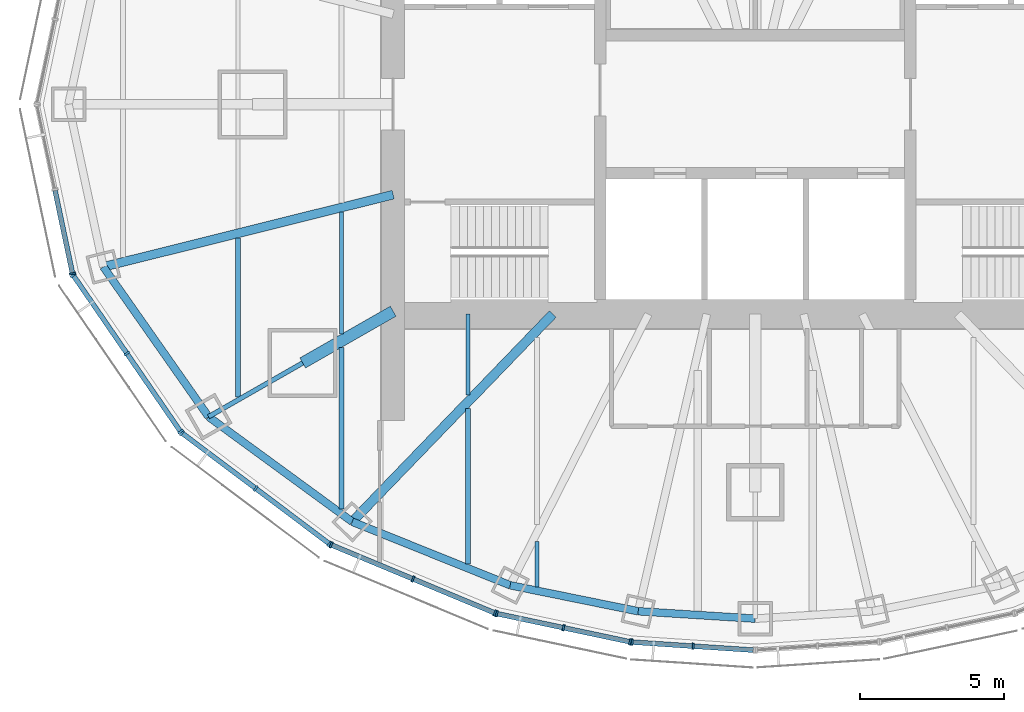
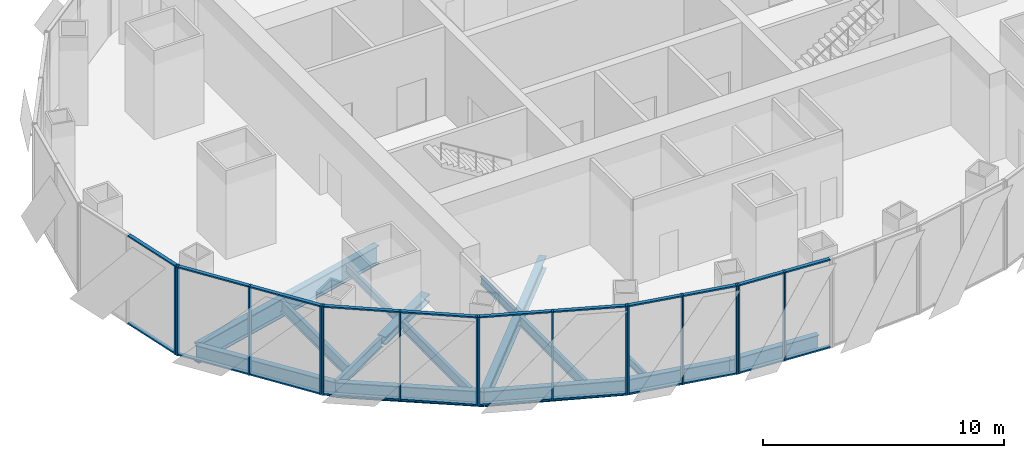
# One storey, part 2 of 15: 37 members, 15 beams, 6 elements without a shape of their own.
"""IFC4 building model written with IfcOpenShell, lengths in metres."""

from ifc_helpers import new_model, si_unit, direction, frame, origin, origin_2d, place, context, subcontext, project, spatial, rectangle, i_section, extrude, material, material_profile, profile_set, type_object, element, aggregate, save


model = new_model("IFC4")

# Units and contexts
model_context = context("Model", 3, precision=1e-05, world=origin(), true_north=direction((0.0, 1.0)))
body_context = subcontext(model_context, "Body", "Model", "MODEL_VIEW")
ifc_project = project(units=[si_unit("LENGTHUNIT", "METRE"), si_unit("AREAUNIT", "SQUARE_METRE"), si_unit("VOLUMEUNIT", "CUBIC_METRE"), si_unit("PLANEANGLEUNIT", "RADIAN"), si_unit("MASSUNIT", "GRAM", prefix="KILO")], contexts=[model_context])

# Site, building, storey
site_placement = place(None, origin())
site = spatial("IfcSite", under=ifc_project, at=site_placement, CompositionType="ELEMENT")
building_placement = place(site_placement, origin())
building = spatial("IfcBuilding", under=site, at=building_placement, Name="Lantaw Convention Tower", CompositionType="ELEMENT")
storey_placement = place(building_placement, frame((0.0, 0.0, 274.89990234375)))
storey = spatial("IfcBuildingStorey", under=building, at=storey_placement, Name="L64", CompositionType="ELEMENT", Elevation=274.89990234375)

# Beams
ifc_material_1 = material(Name="Steel ASTM A992", Category="steel")
ifc_material_profile_1 = material_profile(ifc_material_1, i_section(OverallWidth=0.2666015625, OverallDepth=0.76953125, WebThickness=0.015625, FlangeThickness=0.025390625, FilletRadius=0.0126953125, at=origin_2d()), Name="W30X132")
ifc_profile_set_1 = profile_set([ifc_material_profile_1], Name="Steel ASTM A992")
beam_type_1 = type_object("IfcBeamType", Name="Beam E W30X132", PredefinedType="SPANDREL", material=ifc_profile_set_1)
beam_1_placement = place(storey_placement, frame((-22.68701171875, -5.656494140625, -0.53466796875), z_axis=(0.574400527612, -0.81857439117, 0.0), x_axis=(0.81857439117, 0.574400527612, 0.0)))
element("IfcBeam", 1, at=beam_1_placement, inside=storey, type_object=beam_type_1, Name="Edge beam 14", PredefinedType="SPANDREL", context=body_context, shape_type="SweptSolid", body=[
    extrude(i_section(OverallWidth=0.2666015625, OverallDepth=0.76953125, WebThickness=0.015625, FlangeThickness=0.025390625, FilletRadius=0.0126953125, at=origin_2d()), origin(), (0.0, 0.0, 1.0), 6.3720703125),
])
beam_2_placement = place(storey_placement, frame((-19.02685546875, -10.87255859375, -0.53466796875), z_axis=(0.807371616826, -0.59004328006, 0.0), x_axis=(0.59004328006, 0.807371616826, 0.0)))
element("IfcBeam", 2, at=beam_2_placement, inside=storey, type_object=beam_type_1, Name="Edge beam 15", PredefinedType="SPANDREL", context=body_context, shape_type="SweptSolid", body=[
    extrude(i_section(OverallWidth=0.2666015625, OverallDepth=0.76953125, WebThickness=0.015625, FlangeThickness=0.025390625, FilletRadius=0.0126953125, at=origin_2d()), origin(), (0.0, 0.0, 1.0), 6.192138671875),
])
beam_3_placement = place(storey_placement, frame((-14.027587890625, -14.526123046875, -0.53466796875), z_axis=(0.927779110974, -0.373129898615, 0.0), x_axis=(0.373129898615, 0.927779110974, 0.0)))
element("IfcBeam", 3, at=beam_3_placement, inside=storey, type_object=beam_type_1, Name="Edge beam 16", PredefinedType="SPANDREL", context=body_context, shape_type="SweptSolid", body=[
    extrude(i_section(OverallWidth=0.2666015625, OverallDepth=0.76953125, WebThickness=0.015625, FlangeThickness=0.025390625, FilletRadius=0.0126953125, at=origin_2d()), origin(), (0.0, 0.0, 1.0), 5.92724609375),
])
beam_4_placement = place(storey_placement, frame((-8.5283203125, -16.73779296875, -0.53466796875), z_axis=(0.980006466425, -0.198965639657, 0.0), x_axis=(0.198965639657, 0.980006466425, 0.0)))
element("IfcBeam", 4, at=beam_4_placement, inside=storey, type_object=beam_type_1, Name="Edge beam 17", PredefinedType="SPANDREL", context=body_context, shape_type="SweptSolid", body=[
    extrude(i_section(OverallWidth=0.2666015625, OverallDepth=0.76953125, WebThickness=0.015625, FlangeThickness=0.025390625, FilletRadius=0.0126953125, at=origin_2d()), origin(), (0.0, 0.0, 1.0), 4.546142578125),
])
beam_5_placement = place(storey_placement, frame((-4.072998046875, -17.642333984375, -0.53466796875), z_axis=(0.998006453216, -0.063111958769, 0.0), x_axis=(0.063111958769, 0.998006453216, 0.0)))
element("IfcBeam", 5, at=beam_5_placement, inside=storey, type_object=beam_type_1, Name="Edge beam 18", PredefinedType="SPANDREL", context=body_context, shape_type="SweptSolid", body=[
    extrude(i_section(OverallWidth=0.2666015625, OverallDepth=0.76953125, WebThickness=0.015625, FlangeThickness=0.025390625, FilletRadius=0.0126953125, at=origin_2d()), origin(), (0.0, 0.0, 1.0), 4.0810546875),
])
ifc_material_profile_2 = material_profile(ifc_material_1, i_section(OverallWidth=0.1650390625, OverallDepth=0.52587890625, WebThickness=0.0087890625, FlangeThickness=0.011474609375, FilletRadius=0.0126953125, at=origin_2d()), Name="W21X44")
ifc_profile_set_2 = profile_set([ifc_material_profile_2], Name="Steel ASTM A992")
beam_type_2 = type_object("IfcBeamType", Name="Beam G W21X44", PredefinedType="BEAM", material=ifc_profile_set_2)
beam_6_placement = place(storey_placement, frame((-15.75, -9.0, -0.412841796875), z_axis=(-0.868235180478, -0.496152870978, 0.0), x_axis=(0.496152870978, -0.868235180478, 0.0)))
element("IfcBeam", 6, at=beam_6_placement, inside=storey, type_object=beam_type_2, Name="Floor girder on ray 15", PredefinedType="BEAM", context=body_context, shape_type="SweptSolid", body=[
    extrude(i_section(OverallWidth=0.1650390625, OverallDepth=0.52587890625, WebThickness=0.0087890625, FlangeThickness=0.011474609375, FilletRadius=0.0126953125, at=origin_2d()), origin(), (0.0, 0.0, 1.0), 3.774169921875),
])
ifc_material_profile_3 = material_profile(ifc_material_1, i_section(OverallWidth=0.32763671875, OverallDepth=0.62744140625, WebThickness=0.0166015625, FlangeThickness=0.027587890625, FilletRadius=0.0126953125, at=origin_2d()), Name="W24X146")
ifc_profile_set_3 = profile_set([ifc_material_profile_3], Name="Steel ASTM A992")
beam_type_3 = type_object("IfcBeamType", Name="Beam G W24X146", PredefinedType="BEAM", material=ifc_profile_set_3)
beam_7_placement = place(storey_placement, frame((-7.049560546875, -7.300048828125, -0.463623046875), z_axis=(-0.694652631285, -0.71934534255, 0.0), x_axis=(0.71934534255, -0.694652631285, 0.0)))
element("IfcBeam", 7, at=beam_7_placement, inside=storey, type_object=beam_type_3, Name="Floor girder on ray 16", PredefinedType="BEAM", context=body_context, shape_type="SweptSolid", body=[
    extrude(i_section(OverallWidth=0.32763671875, OverallDepth=0.62744140625, WebThickness=0.0166015625, FlangeThickness=0.027587890625, FilletRadius=0.0126953125, at=origin_2d()), origin(), (0.0, 0.0, 1.0), 10.04541015625),
])
ifc_material_profile_4 = material_profile(ifc_material_1, i_section(OverallWidth=0.307373046875, OverallDepth=0.9423828125, WebThickness=0.022216796875, FlangeThickness=0.039794921875, FilletRadius=0.0126953125, at=origin_2d()), Name="W36X232")
ifc_profile_set_4 = profile_set([ifc_material_profile_4], Name="Steel ASTM A992")
beam_type_4 = type_object("IfcBeamType", Name="Beam G W36X232", PredefinedType="BEAM", material=ifc_profile_set_4)
beam_8_placement = place(storey_placement, frame((-12.60009765625, -3.1416015625, -0.62109375), z_axis=(-0.97029702597, -0.241916682751, 0.0), x_axis=(0.241916682751, -0.97029702597, 0.0)))
element("IfcBeam", 8, at=beam_8_placement, inside=storey, type_object=beam_type_4, Name="Floor girder on ray 14", PredefinedType="BEAM", context=body_context, shape_type="SweptSolid", body=[
    extrude(i_section(OverallWidth=0.307373046875, OverallDepth=0.9423828125, WebThickness=0.022216796875, FlangeThickness=0.039794921875, FilletRadius=0.0126953125, at=origin_2d()), origin(), (0.0, 0.0, 1.0), 10.395751953125),
])
ifc_material_profile_5 = material_profile(ifc_material_1, i_section(OverallWidth=0.40380859375, OverallDepth=0.406494140625, WebThickness=0.027099609375, FlangeThickness=0.043701171875, FilletRadius=0.01513671875, at=origin_2d()), Name="W14X233")
ifc_profile_set_5 = profile_set([ifc_material_profile_5], Name="Steel ASTM A992")
beam_type_5 = type_object("IfcBeamType", Name="Beam GM W14X233", PredefinedType="BEAM", material=ifc_profile_set_5)
beam_9_placement = place(storey_placement, frame((-12.60009765625, -7.199951171875, -0.35302734375), z_axis=(-0.868230718294, -0.496160679428, 0.0), x_axis=(0.496160679428, -0.868230718294, 0.0)))
element("IfcBeam", 9, at=beam_9_placement, inside=storey, type_object=beam_type_5, Name="Core link beam on ray 15", PredefinedType="BEAM", context=body_context, shape_type="SweptSolid", body=[
    extrude(i_section(OverallWidth=0.40380859375, OverallDepth=0.406494140625, WebThickness=0.027099609375, FlangeThickness=0.043701171875, FilletRadius=0.01513671875, at=origin_2d()), origin(), (0.0, 0.0, 1.0), 3.6279296875),
])
ifc_material_profile_6 = material_profile(ifc_material_1, i_section(OverallWidth=0.140380859375, OverallDepth=0.40380859375, WebThickness=0.007080078125, FlangeThickness=0.01123046875, FilletRadius=0.01025390625, at=origin_2d()), Name="W16X31")
ifc_profile_set_6 = profile_set([ifc_material_profile_6], Name="Steel ASTM A992")
beam_type_6 = type_object("IfcBeamType", Name="Beam J W16X31", PredefinedType="JOIST", material=ifc_profile_set_6)
beam_10_placement = place(storey_placement, frame((-14.39990234375, -7.99609375, -0.351806640625), z_axis=(0.0, 1.0, 0.0), x_axis=(-1.0, 0.0, 0.0)))
element("IfcBeam", 10, at=beam_10_placement, inside=storey, type_object=beam_type_6, Name="Floor joist", PredefinedType="JOIST", context=body_context, shape_type="SweptSolid", body=[
    extrude(i_section(OverallWidth=0.140380859375, OverallDepth=0.40380859375, WebThickness=0.007080078125, FlangeThickness=0.01123046875, FilletRadius=0.01025390625, at=origin_2d()), origin(), (0.0, 0.0, 1.0), 4.247314453125),
])
beam_11_placement = place(storey_placement, frame((-10.0, -10.119384765625, -0.351806640625), z_axis=(0.0, 1.0, 0.0), x_axis=(-1.0, 0.0, 0.0)))
element("IfcBeam", 11, at=beam_11_placement, inside=storey, type_object=beam_type_6, Name="Floor joist", PredefinedType="JOIST", context=body_context, shape_type="SweptSolid", body=[
    extrude(i_section(OverallWidth=0.140380859375, OverallDepth=0.40380859375, WebThickness=0.007080078125, FlangeThickness=0.01123046875, FilletRadius=0.01025390625, at=origin_2d()), origin(), (0.0, 0.0, 1.0), 2.8193359375),
])
beam_12_placement = place(storey_placement, frame((-7.60009765625, -16.790283203125, -0.351806640625), z_axis=(0.0, 1.0, 0.0), x_axis=(-1.0, 0.0, 0.0)))
element("IfcBeam", 12, at=beam_12_placement, inside=storey, type_object=beam_type_6, Name="Floor joist", PredefinedType="JOIST", context=body_context, shape_type="SweptSolid", body=[
    extrude(i_section(OverallWidth=0.140380859375, OverallDepth=0.40380859375, WebThickness=0.007080078125, FlangeThickness=0.01123046875, FilletRadius=0.01025390625, at=origin_2d()), origin(), (0.0, 0.0, 1.0), 1.580810546875),
])
ifc_material_profile_7 = material_profile(ifc_material_1, i_section(OverallWidth=0.1650390625, OverallDepth=0.52587890625, WebThickness=0.0087890625, FlangeThickness=0.011474609375, FilletRadius=0.0126953125, at=origin_2d()), Name="W21X44")
ifc_profile_set_7 = profile_set([ifc_material_profile_7], Name="Steel ASTM A992")
beam_type_7 = type_object("IfcBeamType", Name="Beam J W21X44", PredefinedType="JOIST", material=ifc_profile_set_7)
beam_13_placement = place(storey_placement, frame((-14.39990234375, -14.0888671875, -0.412841796875), z_axis=(0.0, 1.0, 0.0), x_axis=(-1.0, 0.0, 0.0)))
element("IfcBeam", 13, at=beam_13_placement, inside=storey, type_object=beam_type_7, Name="Floor joist", PredefinedType="JOIST", context=body_context, shape_type="SweptSolid", body=[
    extrude(i_section(OverallWidth=0.1650390625, OverallDepth=0.52587890625, WebThickness=0.0087890625, FlangeThickness=0.011474609375, FilletRadius=0.0126953125, at=origin_2d()), origin(), (0.0, 0.0, 1.0), 5.627685546875),
])
beam_14_placement = place(storey_placement, frame((-10.0, -16.002197265625, -0.412841796875), z_axis=(0.0, 1.0, 0.0), x_axis=(-1.0, 0.0, 0.0)))
element("IfcBeam", 14, at=beam_14_placement, inside=storey, type_object=beam_type_7, Name="Floor joist", PredefinedType="JOIST", context=body_context, shape_type="SweptSolid", body=[
    extrude(i_section(OverallWidth=0.1650390625, OverallDepth=0.52587890625, WebThickness=0.0087890625, FlangeThickness=0.011474609375, FilletRadius=0.0126953125, at=origin_2d()), origin(), (0.0, 0.0, 1.0), 5.4111328125),
])
ifc_material_profile_8 = material_profile(ifc_material_1, i_section(OverallWidth=0.177978515625, OverallDepth=0.599365234375, WebThickness=0.010009765625, FlangeThickness=0.012939453125, FilletRadius=0.012939453125, at=origin_2d()), Name="W24X55")
ifc_profile_set_8 = profile_set([ifc_material_profile_8], Name="Steel ASTM A992")
beam_type_8 = type_object("IfcBeamType", Name="Beam J W24X55", PredefinedType="JOIST", material=ifc_profile_set_8)
beam_15_placement = place(storey_placement, frame((-18.0, -10.190673828125, -0.44970703125), z_axis=(0.0, 1.0, 0.0), x_axis=(-1.0, 0.0, 0.0)))
element("IfcBeam", 15, at=beam_15_placement, inside=storey, type_object=beam_type_8, Name="Floor joist", PredefinedType="JOIST", context=body_context, shape_type="SweptSolid", body=[
    extrude(i_section(OverallWidth=0.177978515625, OverallDepth=0.599365234375, WebThickness=0.010009765625, FlangeThickness=0.012939453125, FilletRadius=0.012939453125, at=origin_2d()), origin(), (0.0, 0.0, 1.0), 5.54443359375),
])

# Curtain wall, member
ifc_material_2 = material(Name="Aluminium framed curtain wall", Category="aluminium")
curtain_wall_type = type_object("IfcCurtainWallType", Name="Executive floors curtain wall, pale aluminium", PredefinedType="USERDEFINED", material=ifc_material_2)
curtain_wall_1_placement = place(storey_placement, origin())
curtain_wall_1 = element("IfcCurtainWall", 16, at=curtain_wall_1_placement, inside=storey, type_object=curtain_wall_type, Name="Executive floors curtain wall, pale aluminium L64", ObjectType="UNITISED CURTAIN WALL", PredefinedType="USERDEFINED")
ifc_material_3 = material(Name="Aluminium 6063-T6", Category="aluminium")
ifc_material_profile_9 = material_profile(ifc_material_3, rectangle(XDim=0.219970703125, YDim=0.070068359375, at=origin_2d()), Name="CW-T mullion 70x220")
ifc_profile_set_9 = profile_set([ifc_material_profile_9], Name="Aluminium 6063-T6")
member_type_1 = type_object("IfcMemberType", Name="CW-T mullion 70x220", PredefinedType="MULLION", material=ifc_profile_set_9)
member_1_placement = place(storey_placement, frame((-23.761474609375, -5.888427734375, -0.14990234375), z_axis=(0.0, 0.0, 1.0), x_axis=(0.978591117263, 0.205814054946, 0.0)))
member_1 = element("IfcMember", 17, at=member_1_placement, type_object=member_type_1, Name="CW-T mullion 3", PredefinedType="MULLION", context=body_context, shape_type="SweptSolid", body=[
    extrude(rectangle(XDim=0.219970703125, YDim=0.070068359375, at=origin_2d()), origin(), (0.0, 0.0, 1.0), 4.5),
])

# Curtain wall, members
curtain_wall_2_placement = place(storey_placement, origin())
curtain_wall_2 = element("IfcCurtainWall", 18, at=curtain_wall_2_placement, inside=storey, type_object=curtain_wall_type, Name="Executive floors curtain wall, pale aluminium L64", ObjectType="UNITISED CURTAIN WALL", PredefinedType="USERDEFINED")
member_2_placement = place(storey_placement, frame((-23.734619140625, -5.951416015625, -0.14990234375), z_axis=(0.0, 0.0, 1.0), x_axis=(0.824449977189, 0.565934832921, 0.0)))
member_2 = element("IfcMember", 19, at=member_2_placement, type_object=member_type_1, Name="CW-T mullion 1", PredefinedType="MULLION", context=body_context, shape_type="SweptSolid", body=[
    extrude(rectangle(XDim=0.219970703125, YDim=0.070068359375, at=origin_2d()), origin(), (0.0, 0.0, 1.0), 4.5),
])
member_3_placement = place(storey_placement, frame((-21.8681640625, -8.67041015625, -0.14990234375), z_axis=(0.0, 0.0, 1.0), x_axis=(0.824449977189, 0.565934832921, 0.0)))
member_3 = element("IfcMember", 20, at=member_3_placement, type_object=member_type_1, Name="CW-T mullion 2", PredefinedType="MULLION", context=body_context, shape_type="SweptSolid", body=[
    extrude(rectangle(XDim=0.219970703125, YDim=0.070068359375, at=origin_2d()), origin(), (0.0, 0.0, 1.0), 4.5),
])
member_4_placement = place(storey_placement, frame((-20.001708984375, -11.389404296875, -0.14990234375), z_axis=(0.0, 0.0, 1.0), x_axis=(0.824449977189, 0.565934832921, 0.0)))
member_4 = element("IfcMember", 21, at=member_4_placement, type_object=member_type_1, Name="CW-T mullion 3", PredefinedType="MULLION", context=body_context, shape_type="SweptSolid", body=[
    extrude(rectangle(XDim=0.219970703125, YDim=0.070068359375, at=origin_2d()), origin(), (0.0, 0.0, 1.0), 4.5),
])

curtain_wall_3_placement = place(storey_placement, origin())
curtain_wall_3 = element("IfcCurtainWall", 22, at=curtain_wall_3_placement, inside=storey, type_object=curtain_wall_type, Name="Executive floors curtain wall, pale aluminium L64", ObjectType="UNITISED CURTAIN WALL", PredefinedType="USERDEFINED")
member_5_placement = place(storey_placement, frame((-19.953857421875, -11.439208984375, -0.14990234375), z_axis=(0.0, 0.0, 1.0), x_axis=(0.600642756762, 0.799517528732, 0.0)))
member_5 = element("IfcMember", 23, at=member_5_placement, type_object=member_type_1, Name="CW-T mullion 1", PredefinedType="MULLION", context=body_context, shape_type="SweptSolid", body=[
    extrude(rectangle(XDim=0.219970703125, YDim=0.070068359375, at=origin_2d()), origin(), (0.0, 0.0, 1.0), 4.5),
])
member_6_placement = place(storey_placement, frame((-17.386962890625, -13.367919921875, -0.14990234375), z_axis=(0.0, 0.0, 1.0), x_axis=(0.600642756762, 0.799517528732, 0.0)))
member_6 = element("IfcMember", 24, at=member_6_placement, type_object=member_type_1, Name="CW-T mullion 2", PredefinedType="MULLION", context=body_context, shape_type="SweptSolid", body=[
    extrude(rectangle(XDim=0.219970703125, YDim=0.070068359375, at=origin_2d()), origin(), (0.0, 0.0, 1.0), 4.5),
])
member_7_placement = place(storey_placement, frame((-14.81982421875, -15.29638671875, -0.14990234375), z_axis=(0.0, 0.0, 1.0), x_axis=(0.600642756762, 0.799517528732, 0.0)))
member_7 = element("IfcMember", 25, at=member_7_placement, type_object=member_type_1, Name="CW-T mullion 3", PredefinedType="MULLION", context=body_context, shape_type="SweptSolid", body=[
    extrude(rectangle(XDim=0.219970703125, YDim=0.070068359375, at=origin_2d()), origin(), (0.0, 0.0, 1.0), 4.5),
])

curtain_wall_4_placement = place(storey_placement, origin())
curtain_wall_4 = element("IfcCurtainWall", 26, at=curtain_wall_4_placement, inside=storey, type_object=curtain_wall_type, Name="Executive floors curtain wall, pale aluminium L64", ObjectType="UNITISED CURTAIN WALL", PredefinedType="USERDEFINED")
member_8_placement = place(storey_placement, frame((-14.759521484375, -15.330810546875, -0.14990234375), z_axis=(0.0, 0.0, 1.0), x_axis=(0.384459697924, 0.923141777124, 0.0)))
member_8 = element("IfcMember", 27, at=member_8_placement, type_object=member_type_1, Name="CW-T mullion 1", PredefinedType="MULLION", context=body_context, shape_type="SweptSolid", body=[
    extrude(rectangle(XDim=0.219970703125, YDim=0.070068359375, at=origin_2d()), origin(), (0.0, 0.0, 1.0), 4.5),
])
member_9_placement = place(storey_placement, frame((-11.90966796875, -16.517578125, -0.14990234375), z_axis=(0.0, 0.0, 1.0), x_axis=(0.384459697924, 0.923141777124, 0.0)))
member_9 = element("IfcMember", 28, at=member_9_placement, type_object=member_type_1, Name="CW-T mullion 2", PredefinedType="MULLION", context=body_context, shape_type="SweptSolid", body=[
    extrude(rectangle(XDim=0.219970703125, YDim=0.070068359375, at=origin_2d()), origin(), (0.0, 0.0, 1.0), 4.5),
])
member_10_placement = place(storey_placement, frame((-9.06005859375, -17.70458984375, -0.14990234375), z_axis=(0.0, 0.0, 1.0), x_axis=(0.384459697924, 0.923141777124, 0.0)))
member_10 = element("IfcMember", 29, at=member_10_placement, type_object=member_type_1, Name="CW-T mullion 3", PredefinedType="MULLION", context=body_context, shape_type="SweptSolid", body=[
    extrude(rectangle(XDim=0.219970703125, YDim=0.070068359375, at=origin_2d()), origin(), (0.0, 0.0, 1.0), 4.5),
])

curtain_wall_5_placement = place(storey_placement, origin())
curtain_wall_5 = element("IfcCurtainWall", 30, at=curtain_wall_5_placement, inside=storey, type_object=curtain_wall_type, Name="Executive floors curtain wall, pale aluminium L64", ObjectType="UNITISED CURTAIN WALL", PredefinedType="USERDEFINED")
member_11_placement = place(storey_placement, frame((-8.993408203125, -17.72509765625, -0.14990234375), z_axis=(0.0, 0.0, 1.0), x_axis=(0.207039911975, 0.978332497083, 0.0)))
member_11 = element("IfcMember", 31, at=member_11_placement, type_object=member_type_1, Name="CW-T mullion 1", PredefinedType="MULLION", context=body_context, shape_type="SweptSolid", body=[
    extrude(rectangle(XDim=0.219970703125, YDim=0.070068359375, at=origin_2d()), origin(), (0.0, 0.0, 1.0), 4.5),
])
member_12_placement = place(storey_placement, frame((-6.674072265625, -18.216064453125, -0.14990234375), z_axis=(0.0, 0.0, 1.0), x_axis=(0.207039911975, 0.978332497083, 0.0)))
member_12 = element("IfcMember", 32, at=member_12_placement, type_object=member_type_1, Name="CW-T mullion 2", PredefinedType="MULLION", context=body_context, shape_type="SweptSolid", body=[
    extrude(rectangle(XDim=0.219970703125, YDim=0.070068359375, at=origin_2d()), origin(), (0.0, 0.0, 1.0), 4.5),
])
member_13_placement = place(storey_placement, frame((-4.354736328125, -18.706787109375, -0.14990234375), z_axis=(0.0, 0.0, 1.0), x_axis=(0.207039911975, 0.978332497083, 0.0)))
member_13 = element("IfcMember", 33, at=member_13_placement, type_object=member_type_1, Name="CW-T mullion 3", PredefinedType="MULLION", context=body_context, shape_type="SweptSolid", body=[
    extrude(rectangle(XDim=0.219970703125, YDim=0.070068359375, at=origin_2d()), origin(), (0.0, 0.0, 1.0), 4.5),
])

curtain_wall_6_placement = place(storey_placement, origin())
curtain_wall_6 = element("IfcCurtainWall", 34, at=curtain_wall_6_placement, inside=storey, type_object=curtain_wall_type, Name="Executive floors curtain wall, pale aluminium L64", ObjectType="UNITISED CURTAIN WALL", PredefinedType="USERDEFINED")
member_14_placement = place(storey_placement, frame((-4.28564453125, -18.71630859375, -0.14990234375), z_axis=(0.0, 0.0, 1.0), x_axis=(0.066024902273, 0.997817975525, 0.0)))
member_14 = element("IfcMember", 35, at=member_14_placement, type_object=member_type_1, Name="CW-T mullion 1", PredefinedType="MULLION", context=body_context, shape_type="SweptSolid", body=[
    extrude(rectangle(XDim=0.219970703125, YDim=0.070068359375, at=origin_2d()), origin(), (0.0, 0.0, 1.0), 4.5),
])
member_15_placement = place(storey_placement, frame((-2.16015625, -18.857177734375, -0.14990234375), z_axis=(0.0, 0.0, 1.0), x_axis=(0.066024902273, 0.997817975525, 0.0)))
member_15 = element("IfcMember", 36, at=member_15_placement, type_object=member_type_1, Name="CW-T mullion 2", PredefinedType="MULLION", context=body_context, shape_type="SweptSolid", body=[
    extrude(rectangle(XDim=0.219970703125, YDim=0.070068359375, at=origin_2d()), origin(), (0.0, 0.0, 1.0), 4.5),
])

# Member
ifc_material_profile_10 = material_profile(ifc_material_3, rectangle(XDim=0.169921875, YDim=0.070068359375, at=origin_2d()), Name="CW-T transom 70x170")
ifc_profile_set_10 = profile_set([ifc_material_profile_10], Name="Aluminium 6063-T6")
member_type_2 = type_object("IfcMemberType", Name="CW-T transom 70x170", PredefinedType="USERDEFINED", material=ifc_profile_set_10)
member_16_placement = place(storey_placement, frame((-24.369873046875, -2.99560546875, -0.114990234375), z_axis=(0.205766173106, -0.978601186391, 0.0), x_axis=(0.978601186391, 0.205766173106, 0.0)))
member_16 = element("IfcMember", 37, at=member_16_placement, type_object=member_type_2, Name="CW-T transom 2.1", ObjectType="TRANSOM", PredefinedType="USERDEFINED", context=body_context, shape_type="SweptSolid", body=[
    extrude(rectangle(XDim=0.169921875, YDim=0.070068359375, at=origin_2d()), origin(), (0.0, 0.0, 1.0), 2.921142578125),
])

member_17_placement = place(storey_placement, frame((-24.369873046875, -2.99560546875, 4.315185546875), z_axis=(0.205766173106, -0.978601186391, 0.0), x_axis=(0.978601186391, 0.205766173106, 0.0)))
member_17 = element("IfcMember", 38, at=member_17_placement, type_object=member_type_2, Name="CW-T transom 2.2", ObjectType="TRANSOM", PredefinedType="USERDEFINED", context=body_context, shape_type="SweptSolid", body=[
    extrude(rectangle(XDim=0.169921875, YDim=0.070068359375, at=origin_2d()), origin(), (0.0, 0.0, 1.0), 2.921142578125),
])

aggregate(curtain_wall_1, [member_1, member_16, member_17])

member_18_placement = place(storey_placement, frame((-23.71484375, -5.980224609375, -0.114990234375), z_axis=(0.56594129057, -0.824445544368, 0.0), x_axis=(0.824445544368, 0.56594129057, 0.0)))
member_18 = element("IfcMember", 39, at=member_18_placement, type_object=member_type_2, Name="CW-T transom 1.1", ObjectType="TRANSOM", PredefinedType="USERDEFINED", context=body_context, shape_type="SweptSolid", body=[
    extrude(rectangle(XDim=0.169921875, YDim=0.070068359375, at=origin_2d()), origin(), (0.0, 0.0, 1.0), 3.22802734375),
])

member_19_placement = place(storey_placement, frame((-23.71484375, -5.980224609375, 4.315185546875), z_axis=(0.56594129057, -0.824445544368, 0.0), x_axis=(0.824445544368, 0.56594129057, 0.0)))
member_19 = element("IfcMember", 40, at=member_19_placement, type_object=member_type_2, Name="CW-T transom 1.2", ObjectType="TRANSOM", PredefinedType="USERDEFINED", context=body_context, shape_type="SweptSolid", body=[
    extrude(rectangle(XDim=0.169921875, YDim=0.070068359375, at=origin_2d()), origin(), (0.0, 0.0, 1.0), 3.22802734375),
])

member_20_placement = place(storey_placement, frame((-21.848388671875, -8.69921875, -0.114990234375), z_axis=(0.56594129057, -0.824445544368, 0.0), x_axis=(0.824445544368, 0.56594129057, 0.0)))
member_20 = element("IfcMember", 41, at=member_20_placement, type_object=member_type_2, Name="CW-T transom 2.1", ObjectType="TRANSOM", PredefinedType="USERDEFINED", context=body_context, shape_type="SweptSolid", body=[
    extrude(rectangle(XDim=0.169921875, YDim=0.070068359375, at=origin_2d()), origin(), (0.0, 0.0, 1.0), 3.22802734375),
])

member_21_placement = place(storey_placement, frame((-21.848388671875, -8.69921875, 4.315185546875), z_axis=(0.56594129057, -0.824445544368, 0.0), x_axis=(0.824445544368, 0.56594129057, 0.0)))
member_21 = element("IfcMember", 42, at=member_21_placement, type_object=member_type_2, Name="CW-T transom 2.2", ObjectType="TRANSOM", PredefinedType="USERDEFINED", context=body_context, shape_type="SweptSolid", body=[
    extrude(rectangle(XDim=0.169921875, YDim=0.070068359375, at=origin_2d()), origin(), (0.0, 0.0, 1.0), 3.22802734375),
])

aggregate(curtain_wall_2, [member_2, member_3, member_4, member_18, member_19, member_20, member_21])

member_22_placement = place(storey_placement, frame((-19.926025390625, -11.460205078125, -0.114990234375), z_axis=(0.799496049611, -0.600671346626, 0.0), x_axis=(0.600671346626, 0.799496049611, 0.0)))
member_22 = element("IfcMember", 43, at=member_22_placement, type_object=member_type_2, Name="CW-T transom 1.1", ObjectType="TRANSOM", PredefinedType="USERDEFINED", context=body_context, shape_type="SweptSolid", body=[
    extrude(rectangle(XDim=0.169921875, YDim=0.070068359375, at=origin_2d()), origin(), (0.0, 0.0, 1.0), 3.14111328125),
])

member_23_placement = place(storey_placement, frame((-19.926025390625, -11.460205078125, 4.315185546875), z_axis=(0.799496049611, -0.600671346626, 0.0), x_axis=(0.600671346626, 0.799496049611, 0.0)))
member_23 = element("IfcMember", 44, at=member_23_placement, type_object=member_type_2, Name="CW-T transom 1.2", ObjectType="TRANSOM", PredefinedType="USERDEFINED", context=body_context, shape_type="SweptSolid", body=[
    extrude(rectangle(XDim=0.169921875, YDim=0.070068359375, at=origin_2d()), origin(), (0.0, 0.0, 1.0), 3.14111328125),
])

member_24_placement = place(storey_placement, frame((-17.35888671875, -13.388916015625, -0.114990234375), z_axis=(0.799505333284, -0.600658989819, 0.0), x_axis=(0.600658989819, 0.799505333284, 0.0)))
member_24 = element("IfcMember", 45, at=member_24_placement, type_object=member_type_2, Name="CW-T transom 2.1", ObjectType="TRANSOM", PredefinedType="USERDEFINED", context=body_context, shape_type="SweptSolid", body=[
    extrude(rectangle(XDim=0.169921875, YDim=0.070068359375, at=origin_2d()), origin(), (0.0, 0.0, 1.0), 3.140625),
])

member_25_placement = place(storey_placement, frame((-17.35888671875, -13.388916015625, 4.315185546875), z_axis=(0.799505333284, -0.600658989819, 0.0), x_axis=(0.600658989819, 0.799505333284, 0.0)))
member_25 = element("IfcMember", 46, at=member_25_placement, type_object=member_type_2, Name="CW-T transom 2.2", ObjectType="TRANSOM", PredefinedType="USERDEFINED", context=body_context, shape_type="SweptSolid", body=[
    extrude(rectangle(XDim=0.169921875, YDim=0.070068359375, at=origin_2d()), origin(), (0.0, 0.0, 1.0), 3.140625),
])

aggregate(curtain_wall_3, [member_5, member_6, member_7, member_22, member_23, member_24, member_25])

member_26_placement = place(storey_placement, frame((-14.727294921875, -15.34423828125, -0.114990234375), z_axis=(0.923143943999, -0.384454494911, 0.0), x_axis=(0.384454494911, 0.923143943999, 0.0)))
member_26 = element("IfcMember", 47, at=member_26_placement, type_object=member_type_2, Name="CW-T transom 1.1", ObjectType="TRANSOM", PredefinedType="USERDEFINED", context=body_context, shape_type="SweptSolid", body=[
    extrude(rectangle(XDim=0.169921875, YDim=0.070068359375, at=origin_2d()), origin(), (0.0, 0.0, 1.0), 3.01708984375),
])

member_27_placement = place(storey_placement, frame((-14.727294921875, -15.34423828125, 4.315185546875), z_axis=(0.923143943999, -0.384454494911, 0.0), x_axis=(0.384454494911, 0.923143943999, 0.0)))
member_27 = element("IfcMember", 48, at=member_27_placement, type_object=member_type_2, Name="CW-T transom 1.2", ObjectType="TRANSOM", PredefinedType="USERDEFINED", context=body_context, shape_type="SweptSolid", body=[
    extrude(rectangle(XDim=0.169921875, YDim=0.070068359375, at=origin_2d()), origin(), (0.0, 0.0, 1.0), 3.01708984375),
])

member_28_placement = place(storey_placement, frame((-11.87744140625, -16.531005859375, -0.114990234375), z_axis=(0.923143943999, -0.384454494911, 0.0), x_axis=(0.384454494911, 0.923143943999, 0.0)))
member_28 = element("IfcMember", 49, at=member_28_placement, type_object=member_type_2, Name="CW-T transom 2.1", ObjectType="TRANSOM", PredefinedType="USERDEFINED", context=body_context, shape_type="SweptSolid", body=[
    extrude(rectangle(XDim=0.169921875, YDim=0.070068359375, at=origin_2d()), origin(), (0.0, 0.0, 1.0), 3.01708984375),
])

member_29_placement = place(storey_placement, frame((-11.87744140625, -16.531005859375, 4.315185546875), z_axis=(0.923143943999, -0.384454494911, 0.0), x_axis=(0.384454494911, 0.923143943999, 0.0)))
member_29 = element("IfcMember", 50, at=member_29_placement, type_object=member_type_2, Name="CW-T transom 2.2", ObjectType="TRANSOM", PredefinedType="USERDEFINED", context=body_context, shape_type="SweptSolid", body=[
    extrude(rectangle(XDim=0.169921875, YDim=0.070068359375, at=origin_2d()), origin(), (0.0, 0.0, 1.0), 3.01708984375),
])

aggregate(curtain_wall_4, [member_8, member_9, member_10, member_26, member_27, member_28, member_29])

member_30_placement = place(storey_placement, frame((-8.959228515625, -17.732421875, -0.114990234375), z_axis=(0.978336479598, -0.207021092375, 0.0), x_axis=(0.207021092375, 0.978336479598, 0.0)))
member_30 = element("IfcMember", 51, at=member_30_placement, type_object=member_type_2, Name="CW-T transom 1.1", ObjectType="TRANSOM", PredefinedType="USERDEFINED", context=body_context, shape_type="SweptSolid", body=[
    extrude(rectangle(XDim=0.169921875, YDim=0.070068359375, at=origin_2d()), origin(), (0.0, 0.0, 1.0), 2.30078125),
])

member_31_placement = place(storey_placement, frame((-8.959228515625, -17.732421875, 4.315185546875), z_axis=(0.978336479598, -0.207021092375, 0.0), x_axis=(0.207021092375, 0.978336479598, 0.0)))
member_31 = element("IfcMember", 52, at=member_31_placement, type_object=member_type_2, Name="CW-T transom 1.2", ObjectType="TRANSOM", PredefinedType="USERDEFINED", context=body_context, shape_type="SweptSolid", body=[
    extrude(rectangle(XDim=0.169921875, YDim=0.070068359375, at=origin_2d()), origin(), (0.0, 0.0, 1.0), 2.30078125),
])

member_32_placement = place(storey_placement, frame((-6.639892578125, -18.223388671875, -0.114990234375), z_axis=(0.978336479598, -0.207021092375, 0.0), x_axis=(0.207021092375, 0.978336479598, 0.0)))
member_32 = element("IfcMember", 53, at=member_32_placement, type_object=member_type_2, Name="CW-T transom 2.1", ObjectType="TRANSOM", PredefinedType="USERDEFINED", context=body_context, shape_type="SweptSolid", body=[
    extrude(rectangle(XDim=0.169921875, YDim=0.070068359375, at=origin_2d()), origin(), (0.0, 0.0, 1.0), 2.30078125),
])

member_33_placement = place(storey_placement, frame((-6.639892578125, -18.223388671875, 4.315185546875), z_axis=(0.978336479598, -0.207021092375, 0.0), x_axis=(0.207021092375, 0.978336479598, 0.0)))
member_33 = element("IfcMember", 54, at=member_33_placement, type_object=member_type_2, Name="CW-T transom 2.2", ObjectType="TRANSOM", PredefinedType="USERDEFINED", context=body_context, shape_type="SweptSolid", body=[
    extrude(rectangle(XDim=0.169921875, YDim=0.070068359375, at=origin_2d()), origin(), (0.0, 0.0, 1.0), 2.30078125),
])

aggregate(curtain_wall_5, [member_11, member_12, member_13, member_30, member_31, member_32, member_33])

member_34_placement = place(storey_placement, frame((-4.250732421875, -18.71875, -0.114990234375), z_axis=(0.997819110413, -0.066007748753, 0.0), x_axis=(0.066007748753, 0.997819110413, 0.0)))
member_34 = element("IfcMember", 55, at=member_34_placement, type_object=member_type_2, Name="CW-T transom 1.1", ObjectType="TRANSOM", PredefinedType="USERDEFINED", context=body_context, shape_type="SweptSolid", body=[
    extrude(rectangle(XDim=0.169921875, YDim=0.070068359375, at=origin_2d()), origin(), (0.0, 0.0, 1.0), 2.06005859375),
])

member_35_placement = place(storey_placement, frame((-4.250732421875, -18.71875, 4.315185546875), z_axis=(0.997819110413, -0.066007748753, 0.0), x_axis=(0.066007748753, 0.997819110413, 0.0)))
member_35 = element("IfcMember", 56, at=member_35_placement, type_object=member_type_2, Name="CW-T transom 1.2", ObjectType="TRANSOM", PredefinedType="USERDEFINED", context=body_context, shape_type="SweptSolid", body=[
    extrude(rectangle(XDim=0.169921875, YDim=0.070068359375, at=origin_2d()), origin(), (0.0, 0.0, 1.0), 2.06005859375),
])

member_36_placement = place(storey_placement, frame((-2.125244140625, -18.859375, -0.114990234375), z_axis=(0.997818593988, -0.066015554918, 0.0), x_axis=(0.066015554918, 0.997818593988, 0.0)))
member_36 = element("IfcMember", 57, at=member_36_placement, type_object=member_type_2, Name="CW-T transom 2.1", ObjectType="TRANSOM", PredefinedType="USERDEFINED", context=body_context, shape_type="SweptSolid", body=[
    extrude(rectangle(XDim=0.169921875, YDim=0.070068359375, at=origin_2d()), origin(), (0.0, 0.0, 1.0), 2.059814453125),
])

member_37_placement = place(storey_placement, frame((-2.125244140625, -18.859375, 4.315185546875), z_axis=(0.997818593988, -0.066015554918, 0.0), x_axis=(0.066015554918, 0.997818593988, 0.0)))
member_37 = element("IfcMember", 58, at=member_37_placement, type_object=member_type_2, Name="CW-T transom 2.2", ObjectType="TRANSOM", PredefinedType="USERDEFINED", context=body_context, shape_type="SweptSolid", body=[
    extrude(rectangle(XDim=0.169921875, YDim=0.070068359375, at=origin_2d()), origin(), (0.0, 0.0, 1.0), 2.059814453125),
])

aggregate(curtain_wall_6, [member_14, member_15, member_34, member_35, member_36, member_37])

save(model, "model.ifc")
